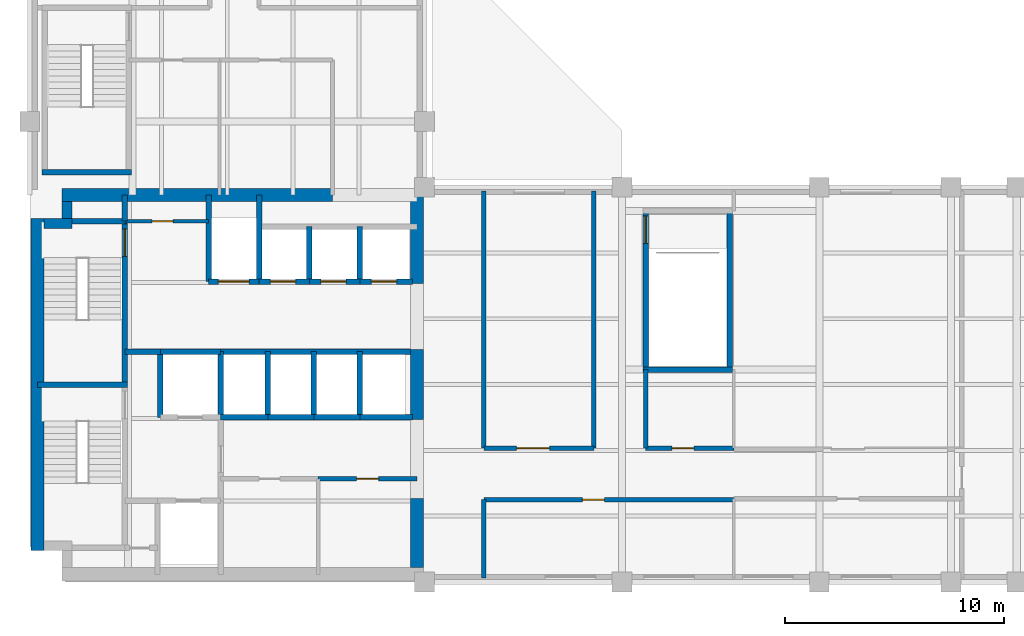
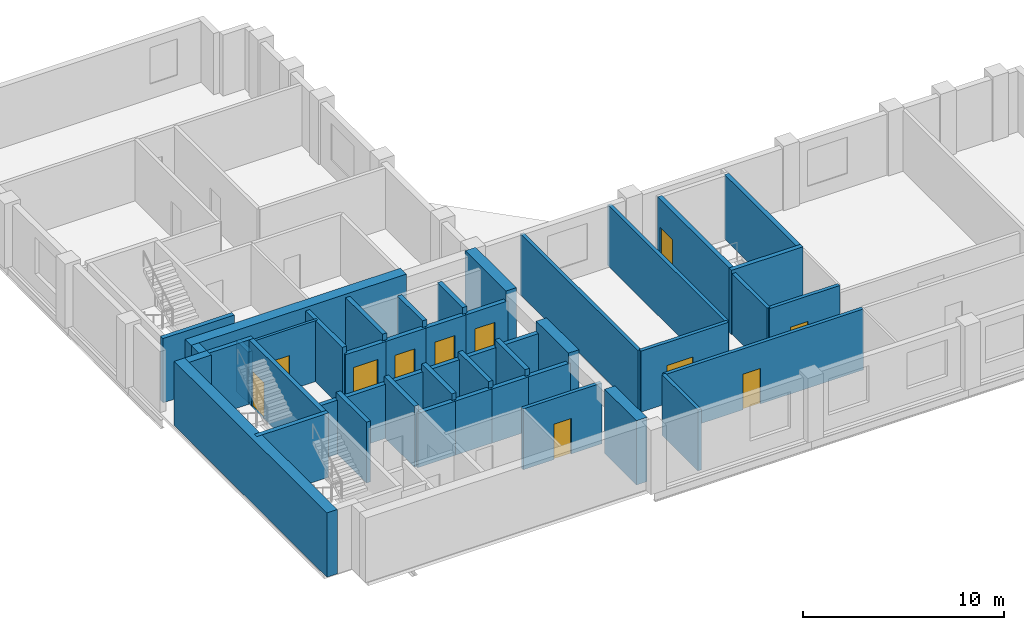
# One storey, part 3 of 6: 44 walls, 11 doors, 11 openings.
"""IFC4 building model written with IfcOpenShell, lengths in metres."""

from ifc_helpers import new_model, si_unit, direction, frame, frame_2d, origin, place, context, subcontext, project, spatial, rectangle, extrude, material, layer, layer_set, type_object, element, fill, save


model = new_model("IFC4")

# Units and contexts
model_context = context("Model", 3, precision=1e-05, world=origin(), true_north=direction((0.0, 1.0)))
body_context = subcontext(model_context, "Body", "Model", "MODEL_VIEW")
ifc_project = project(units=[si_unit("LENGTHUNIT", "METRE"), si_unit("AREAUNIT", "SQUARE_METRE"), si_unit("VOLUMEUNIT", "CUBIC_METRE"), si_unit("PLANEANGLEUNIT", "RADIAN"), si_unit("MASSUNIT", "GRAM", prefix="KILO")], contexts=[model_context])

# Site, building, storey
site_placement = place(None, origin())
site = spatial("IfcSite", under=ifc_project, at=site_placement, CompositionType="ELEMENT")
building_placement = place(site_placement, origin())
building = spatial("IfcBuilding", under=site, at=building_placement, Name="Mawjdan Bourse Tower", CompositionType="ELEMENT")
storey_placement = place(building_placement, frame((0.0, 0.0, 164.39990234375)))
storey = spatial("IfcBuildingStorey", under=building, at=storey_placement, Name="L39", CompositionType="ELEMENT", Elevation=164.39990234375)

# Wall, opening, door
ifc_material_1 = material(Name="Gypsum Fireboard Assembly")
ifc_layer_1 = layer(ifc_material_1, 0.199951171875)
ifc_layer_set_1 = layer_set([ifc_layer_1], Name="Gypsum Fireboard Assembly")
wall_type_1 = type_object("IfcWallType", Name="WL-CMP-200", PredefinedType="PARTITIONING", material=ifc_layer_set_1)
wall_1_placement = place(storey_placement, frame((19.14990234375, 7.699951171875, 0.0), z_axis=(0.0, 0.0, 1.0), x_axis=(1.0, 0.0, 0.0)))
wall_1 = element("IfcWall", 1, at=wall_1_placement, inside=storey, type_object=wall_type_1, Name="L39 Document Custody Office North Wall", PredefinedType="PARTITIONING", context=body_context, shape_type="SweptSolid", body=[
    extrude(rectangle(XDim=4.5, YDim=0.199951171875, at=frame_2d((2.25, 0.0))), origin(), (0.0, 0.0, 1.0), 3.690185546875),
])
opening_1_placement = place(wall_1_placement, frame((1.75, 0.0, 0.0)))
opening_1 = element("IfcOpeningElement", 2, at=opening_1_placement, cuts=wall_1, Name="Opening D-L39-14", PredefinedType="OPENING", context=body_context, shape_type="SweptSolid", body=[
    extrude(rectangle(XDim=1.0, YDim=2.14990234375, at=frame_2d((0.5, 1.074951171875))), frame((0.0, 0.10986328125, 0.0), z_axis=(0.0, -1.0, 0.0), x_axis=(1.0, 0.0, 0.0)), (0.0, 0.0, 1.0), 0.219970703125),
])
ifc_material_2 = material(Name="Hardwood Acoustic Leaf", Category="wood")
door_type_1 = type_object("IfcDoorType", Name="DR-OFC-1000", OperationType="NOTDEFINED", PredefinedType="DOOR", material=ifc_material_2)
door_1_placement = place(opening_1_placement, origin())
door_1 = element("IfcDoor", 3, at=door_1_placement, inside=storey, type_object=door_type_1, Name="L39 Document Custody Office Door D-L39-14", OperationType="SINGLE_SWING_LEFT", OverallHeight=2.14990234375, OverallWidth=1.0, PredefinedType="DOOR", context=body_context, shape_type="SweptSolid", body=[
    extrude(rectangle(XDim=1.0, YDim=2.14990234375, at=frame_2d((0.5, 1.074951171875))), frame((0.0, 0.02490234375, 0.0), z_axis=(0.0, -1.0, 0.0), x_axis=(1.0, 0.0, 0.0)), (0.0, 0.0, 1.0), 0.050048828125),
])
fill(opening_1, door_1)

wall_2_placement = place(storey_placement, frame((26.699951171875, 9.10009765625, 0.0), z_axis=(0.0, 0.0, 1.0), x_axis=(1.0, 0.0, 0.0)))
wall_2 = element("IfcWall", 4, at=wall_2_placement, inside=storey, type_object=wall_type_1, Name="L39 NW Salon South Corridor Wall", PredefinedType="PARTITIONING", context=body_context, shape_type="SweptSolid", body=[
    extrude(rectangle(XDim=5.02001953125, YDim=0.199951171875, at=frame_2d((2.510009765625, 0.0))), origin(), (0.0, 0.0, 1.0), 3.690185546875),
])
opening_2_placement = place(wall_2_placement, frame((1.5, 0.0, 0.0)))
opening_2 = element("IfcOpeningElement", 5, at=opening_2_placement, cuts=wall_2, Name="Opening D-L39-18", PredefinedType="OPENING", context=body_context, shape_type="SweptSolid", body=[
    extrude(rectangle(XDim=1.5, YDim=2.300048828125, at=frame_2d((0.75, 1.14990234375))), frame((0.0, 0.10986328125, 0.0), z_axis=(0.0, -1.0, 0.0), x_axis=(1.0, 0.0, 0.0)), (0.0, 0.0, 1.0), 0.219970703125),
])
ifc_material_3 = material(Name="Acoustic Glazed Timber", Category="wood")
door_type_2 = type_object("IfcDoorType", Name="DR-CNF-1500", OperationType="DOUBLE_DOOR_SINGLE_SWING", PredefinedType="DOOR", material=ifc_material_3)
door_2_placement = place(opening_2_placement, origin())
door_2 = element("IfcDoor", 6, at=door_2_placement, inside=storey, type_object=door_type_2, Name="L39 North-West Salon Corridor Door D-L39-18", OperationType="DOUBLE_DOOR_SINGLE_SWING", OverallHeight=2.300048828125, OverallWidth=1.5, PredefinedType="DOOR", context=body_context, shape_type="SweptSolid", body=[
    extrude(rectangle(XDim=1.5, YDim=2.300048828125, at=frame_2d((0.75, 1.14990234375))), frame((0.0, 0.02490234375, 0.0), z_axis=(0.0, -1.0, 0.0), x_axis=(1.0, 0.0, 0.0)), (0.0, 0.0, 1.0), 0.050048828125),
])
fill(opening_2, door_2)

# Walls
for number, where, z_axis, x_axis, name in (
    (7, (26.699951171875, 9.10009765625, 0.0), (0.0, 0.0, 1.0), (0.0, 1.0, 0.0), "L39 NW Salon West Vestibule Wall"),
    (8, (31.719970703125, 9.10009765625, 0.0), (0.0, 0.0, 1.0), (0.0, 1.0, 0.0), "L39 NW Salon East ST5B Corridor Wall"),
):
    element("IfcWall", number, at=place(storey_placement, frame(where, z_axis=z_axis, x_axis=x_axis)), inside=storey, type_object=wall_type_1, Name=name, PredefinedType="PARTITIONING", context=body_context, shape_type="SweptSolid", body=[
        extrude(rectangle(XDim=11.719970703125, YDim=0.199951171875, at=frame_2d((5.85986328125, 0.0))), origin(), (0.0, 0.0, 1.0), 3.690185546875),
    ])

# Wall, opening, door
wall_3_placement = place(storey_placement, frame((26.699951171875, 6.75, 0.0), z_axis=(0.0, 0.0, 1.0), x_axis=(1.0, 0.0, 0.0)))
wall_3 = element("IfcWall", 9, at=wall_3_placement, inside=storey, type_object=wall_type_1, Name="L39 South Suite Corridor Wall", PredefinedType="PARTITIONING", context=body_context, shape_type="SweptSolid", body=[
    extrude(rectangle(XDim=11.400146484375, YDim=0.199951171875, at=frame_2d((5.7001953125, 0.0))), origin(), (0.0, 0.0, 1.0), 3.690185546875),
])
opening_3_placement = place(wall_3_placement, frame((4.5, 0.0, 0.0)))
opening_3 = element("IfcOpeningElement", 10, at=opening_3_placement, cuts=wall_3, Name="Opening D-L39-19", PredefinedType="OPENING", context=body_context, shape_type="SweptSolid", body=[
    extrude(rectangle(XDim=1.0, YDim=2.14990234375, at=frame_2d((0.5, 1.074951171875))), frame((0.0, 0.10986328125, 0.0), z_axis=(0.0, -1.0, 0.0), x_axis=(1.0, 0.0, 0.0)), (0.0, 0.0, 1.0), 0.219970703125),
])
door_3_placement = place(opening_3_placement, origin())
door_3 = element("IfcDoor", 11, at=door_3_placement, inside=storey, type_object=door_type_1, Name="L39 South Suite Corridor Door D-L39-19", OperationType="SINGLE_SWING_LEFT", OverallHeight=2.14990234375, OverallWidth=1.0, PredefinedType="DOOR", context=body_context, shape_type="SweptSolid", body=[
    extrude(rectangle(XDim=1.0, YDim=2.14990234375, at=frame_2d((0.5, 1.074951171875))), frame((0.0, 0.02490234375, 0.0), z_axis=(0.0, -1.0, 0.0), x_axis=(1.0, 0.0, 0.0)), (0.0, 0.0, 1.0), 0.050048828125),
])
fill(opening_3, door_3)

# Wall
wall_4_placement = place(storey_placement, frame((26.699951171875, 3.179931640625, 0.0), z_axis=(0.0, 0.0, 1.0), x_axis=(0.0, 1.0, 0.0)))
element("IfcWall", 12, at=wall_4_placement, inside=storey, type_object=wall_type_1, Name="L39 South Suite West Wall", PredefinedType="PARTITIONING", context=body_context, shape_type="SweptSolid", body=[
    extrude(rectangle(XDim=3.570068359375, YDim=0.199951171875, at=frame_2d((1.78515625, 0.0))), origin(), (0.0, 0.0, 1.0), 3.690185546875),
])

# Wall, opening, door
wall_5_placement = place(storey_placement, frame((34.080078125, 9.10009765625, 0.0), z_axis=(0.0, 0.0, 1.0), x_axis=(1.0, 0.0, 0.0)))
wall_5 = element("IfcWall", 13, at=wall_5_placement, inside=storey, type_object=wall_type_1, Name="L39 ST5B Mid Conference South Wall", PredefinedType="PARTITIONING", context=body_context, shape_type="SweptSolid", body=[
    extrude(rectangle(XDim=4.02001953125, YDim=0.199951171875, at=frame_2d((2.010009765625, 0.0))), origin(), (0.0, 0.0, 1.0), 3.690185546875),
])
opening_4_placement = place(wall_5_placement, frame((1.199951171875, 0.0, 0.0)))
opening_4 = element("IfcOpeningElement", 14, at=opening_4_placement, cuts=wall_5, Name="Opening D-L39-20", PredefinedType="OPENING", context=body_context, shape_type="SweptSolid", body=[
    extrude(rectangle(XDim=1.0, YDim=2.14990234375, at=frame_2d((0.5, 1.074951171875))), frame((0.0, 0.10986328125, 0.0), z_axis=(0.0, -1.0, 0.0), x_axis=(1.0, 0.0, 0.0)), (0.0, 0.0, 1.0), 0.219970703125),
])
door_4_placement = place(opening_4_placement, origin())
door_4 = element("IfcDoor", 15, at=door_4_placement, inside=storey, type_object=door_type_1, Name="L39 ST5B Mid Conference Door D-L39-20", OperationType="SINGLE_SWING_RIGHT", OverallHeight=2.14990234375, OverallWidth=1.0, PredefinedType="DOOR", context=body_context, shape_type="SweptSolid", body=[
    extrude(rectangle(XDim=1.0, YDim=2.14990234375, at=frame_2d((0.5, 1.074951171875))), frame((0.0, 0.02490234375, 0.0), z_axis=(0.0, -1.0, 0.0), x_axis=(1.0, 0.0, 0.0)), (0.0, 0.0, 1.0), 0.050048828125),
])
fill(opening_4, door_4)

# Walls
wall_6_placement = place(storey_placement, frame((34.080078125, 9.10009765625, 0.0), z_axis=(0.0, 0.0, 1.0), x_axis=(0.0, 1.0, 0.0)))
element("IfcWall", 16, at=wall_6_placement, inside=storey, type_object=wall_type_1, Name="L39 ST5B Mid Conference West Wall", PredefinedType="PARTITIONING", context=body_context, shape_type="SweptSolid", body=[
    extrude(rectangle(XDim=3.579833984375, YDim=0.199951171875, at=frame_2d((1.7900390625, 0.0))), origin(), (0.0, 0.0, 1.0), 3.690185546875),
])
ifc_material_4 = material(Name="Concrete C60/75", Category="concrete")
ifc_layer_2 = layer(ifc_material_4, 0.449951171875)
ifc_layer_set_2 = layer_set([ifc_layer_2], Name="Concrete C60/75")
wall_type_2 = type_object("IfcWallType", Name="WL-CORE-450", PredefinedType="SHEAR", material=ifc_layer_set_2)
wall_7_placement = place(storey_placement, frame((6.64990234375, 19.35009765625, 0.0), z_axis=(0.0, 0.0, 1.0), x_axis=(1.0, 0.0, 0.0)))
element("IfcWall", 17, at=wall_7_placement, inside=storey, type_object=wall_type_2, Name="L39 Rear Core Shear Wall NW-X", PredefinedType="SHEAR", context=body_context, shape_type="SweptSolid", body=[
    extrude(rectangle(XDim=1.275146484375, YDim=0.449951171875, at=frame_2d((0.6376953125, 0.0))), origin(), (0.0, 0.0, 1.0), 3.900146484375),
])
wall_8_placement = place(storey_placement, frame((7.699951171875, 19.574951171875, 0.0), z_axis=(0.0, 0.0, 1.0), x_axis=(0.0, 1.0, 0.0)))
element("IfcWall", 18, at=wall_8_placement, inside=storey, type_object=wall_type_2, Name="L39 Rear Core Shear Wall NW-Y", PredefinedType="SHEAR", context=body_context, shape_type="SweptSolid", body=[
    extrude(rectangle(XDim=0.775146484375, YDim=0.449951171875, at=frame_2d((0.3876953125, 0.0))), origin(), (0.0, 0.0, 1.0), 3.900146484375),
])
ifc_material_5 = material(Name="Concrete C70/85", Category="concrete")
ifc_layer_3 = layer(ifc_material_5, 0.60009765625)
ifc_layer_set_3 = layer_set([ifc_layer_3], Name="Concrete C70/85")
wall_type_3 = type_object("IfcWallType", Name="WL-CORE-600", PredefinedType="SHEAR", material=ifc_layer_set_3)
wall_9_placement = place(storey_placement, frame((6.35009765625, 4.425048828125, 0.0), z_axis=(0.0, 0.0, 1.0), x_axis=(0.0, 1.0, 0.0)))
element("IfcWall", 19, at=wall_9_placement, inside=storey, type_object=wall_type_3, Name="L39 Rear Core Shear Wall W", PredefinedType="SHEAR", context=body_context, shape_type="SweptSolid", body=[
    extrude(rectangle(XDim=15.14990234375, YDim=0.60009765625, at=frame_2d((7.574951171875, 0.0))), origin(), (0.0, 0.0, 1.0), 3.900146484375),
])
wall_10_placement = place(storey_placement, frame((7.47509765625, 20.64990234375, 0.0), z_axis=(0.0, 0.0, 1.0), x_axis=(1.0, 0.0, 0.0)))
element("IfcWall", 20, at=wall_10_placement, inside=storey, type_object=wall_type_3, Name="L39 Rear Core Shear Wall N", PredefinedType="SHEAR", context=body_context, shape_type="SweptSolid", body=[
    extrude(rectangle(XDim=12.324951171875, YDim=0.60009765625, at=frame_2d((6.16259765625, 0.0))), origin(), (0.0, 0.0, 1.0), 3.900146484375),
])
wall_11_placement = place(storey_placement, frame((23.64990234375, 3.64990234375, 0.0), z_axis=(0.0, 0.0, 1.0), x_axis=(0.0, 1.0, 0.0)))
element("IfcWall", 21, at=wall_11_placement, inside=storey, type_object=wall_type_3, Name="L39 Rear Core Shear Wall E1", PredefinedType="SHEAR", context=body_context, shape_type="SweptSolid", body=[
    extrude(rectangle(XDim=3.150146484375, YDim=0.60009765625, at=frame_2d((1.5751953125, 0.0))), origin(), (0.0, 0.0, 1.0), 3.900146484375),
])
wall_12_placement = place(storey_placement, frame((23.64990234375, 10.39990234375, 0.0), z_axis=(0.0, 0.0, 1.0), x_axis=(0.0, 1.0, 0.0)))
element("IfcWall", 22, at=wall_12_placement, inside=storey, type_object=wall_type_3, Name="L39 Rear Core Shear Wall E2", PredefinedType="SHEAR", context=body_context, shape_type="SweptSolid", body=[
    extrude(rectangle(XDim=3.2001953125, YDim=0.60009765625, at=frame_2d((1.60009765625, 0.0))), origin(), (0.0, 0.0, 1.0), 3.900146484375),
])
wall_13_placement = place(storey_placement, frame((23.64990234375, 16.60009765625, 0.0), z_axis=(0.0, 0.0, 1.0), x_axis=(0.0, 1.0, 0.0)))
element("IfcWall", 23, at=wall_13_placement, inside=storey, type_object=wall_type_3, Name="L39 Rear Core Shear Wall E3", PredefinedType="SHEAR", context=body_context, shape_type="SweptSolid", body=[
    extrude(rectangle(XDim=4.0498046875, YDim=0.60009765625, at=frame_2d((2.02490234375, 0.0))), origin(), (0.0, 0.0, 1.0), 3.900146484375),
])

# Wall, opening, door
ifc_material_6 = material(Name="Gypsum Acoustic Partition")
ifc_layer_4 = layer(ifc_material_6, 0.14990234375)
ifc_layer_set_4 = layer_set([ifc_layer_4], Name="Gypsum Acoustic Partition")
wall_type_4 = type_object("IfcWallType", Name="WL-PRT-150", PredefinedType="PARTITIONING", material=ifc_layer_set_4)
wall_14_placement = place(storey_placement, frame((10.330078125, 19.449951171875, 0.0), z_axis=(0.0, 0.0, 1.0), x_axis=(1.0, 0.0, 0.0)))
wall_14 = element("IfcWall", 24, at=wall_14_placement, inside=storey, type_object=wall_type_4, Name="L39 Housekeeping South Wall", PredefinedType="PARTITIONING", context=body_context, shape_type="SweptSolid", body=[
    extrude(rectangle(XDim=3.81982421875, YDim=0.14990234375, at=frame_2d((1.909912109375, 0.0))), origin(), (0.0, 0.0, 1.0), 3.690185546875),
])
opening_5_placement = place(wall_14_placement, frame((1.25, 0.0, 0.0)))
opening_5 = element("IfcOpeningElement", 25, at=opening_5_placement, cuts=wall_14, Name="Opening D-L39-15", PredefinedType="OPENING", context=body_context, shape_type="SweptSolid", body=[
    extrude(rectangle(XDim=0.949951171875, YDim=2.10009765625, at=frame_2d((0.47509765625, 1.050048828125))), frame((0.0, 0.0849609375, 0.0), z_axis=(0.0, -1.0, 0.0), x_axis=(1.0, 0.0, 0.0)), (0.0, 0.0, 1.0), 0.169921875),
])
ifc_material_7 = material(Name="Moisture-Resistant Laminate Timber", Category="wood")
door_type_3 = type_object("IfcDoorType", Name="DR-WET-0950", OperationType="NOTDEFINED", PredefinedType="DOOR", material=ifc_material_7)
door_5_placement = place(opening_5_placement, origin())
door_5 = element("IfcDoor", 26, at=door_5_placement, inside=storey, type_object=door_type_3, Name="L39 Housekeeping Closet Door D-L39-15", OperationType="SINGLE_SWING_RIGHT", OverallHeight=2.10009765625, OverallWidth=0.949951171875, PredefinedType="DOOR", context=body_context, shape_type="SweptSolid", body=[
    extrude(rectangle(XDim=0.949951171875, YDim=2.10009765625, at=frame_2d((0.47509765625, 1.050048828125))), frame((0.0, 0.02490234375, 0.0), z_axis=(0.0, -1.0, 0.0), x_axis=(1.0, 0.0, 0.0)), (0.0, 0.0, 1.0), 0.050048828125),
])
fill(opening_5, door_5)

# Walls
ifc_material_8 = material(Name="Concrete C50/60", Category="concrete")
ifc_layer_5 = layer(ifc_material_8, 0.25)
ifc_layer_set_5 = layer_set([ifc_layer_5], Name="Concrete C50/60")
wall_type_5 = type_object("IfcWallType", Name="WL-SHFT-250", PredefinedType="PARTITIONING", material=ifc_layer_set_5)
wall_15_placement = place(storey_placement, frame((10.330078125, 19.449951171875, 0.0), z_axis=(0.0, 0.0, 1.0), x_axis=(0.0, 1.0, 0.0)))
element("IfcWall", 27, at=wall_15_placement, inside=storey, type_object=wall_type_5, Name="L39 NW Riser East Wall", PredefinedType="PARTITIONING", context=body_context, shape_type="SweptSolid", body=[
    extrude(rectangle(XDim=1.199951171875, YDim=0.25, at=frame_2d((0.60009765625, 0.0))), origin(), (0.0, 0.0, 1.0), 3.072998046875),
])
wall_16_placement = place(storey_placement, frame((11.949951171875, 10.5, 0.0), z_axis=(0.0, 0.0, 1.0), x_axis=(0.0, 1.0, 0.0)))
element("IfcWall", 28, at=wall_16_placement, inside=storey, type_object=wall_type_5, Name="L39 FFL-02 West Shaft Wall", PredefinedType="PARTITIONING", context=body_context, shape_type="SweptSolid", body=[
    extrude(rectangle(XDim=3.0, YDim=0.25, at=frame_2d((1.5, 0.0))), origin(), (0.0, 0.0, 1.0), 3.690185546875),
])
wall_17_placement = place(storey_placement, frame((11.949951171875, 13.5, 0.0), z_axis=(0.0, 0.0, 1.0), x_axis=(1.0, 0.0, 0.0)))
element("IfcWall", 29, at=wall_17_placement, inside=storey, type_object=wall_type_5, Name="L39 FFL-02 North Shaft Wall", PredefinedType="PARTITIONING", context=body_context, shape_type="SweptSolid", body=[
    extrude(rectangle(XDim=2.75, YDim=0.25, at=frame_2d((1.375, 0.0))), origin(), (0.0, 0.0, 1.0), 3.283203125),
])
wall_18_placement = place(storey_placement, frame((14.699951171875, 10.5, 0.0), z_axis=(0.0, 0.0, 1.0), x_axis=(0.0, 1.0, 0.0)))
element("IfcWall", 30, at=wall_18_placement, inside=storey, type_object=wall_type_5, Name="L39 FFL-02 East Shaft Wall", PredefinedType="PARTITIONING", context=body_context, shape_type="SweptSolid", body=[
    extrude(rectangle(XDim=3.0, YDim=0.25, at=frame_2d((1.5, 0.0))), origin(), (0.0, 0.0, 1.0), 3.690185546875),
])
wall_19_placement = place(storey_placement, frame((10.330078125, 13.5, 0.0), z_axis=(0.0, 0.0, 1.0), x_axis=(1.0, 0.0, 0.0)))
element("IfcWall", 31, at=wall_19_placement, inside=storey, type_object=wall_type_5, Name="L39 Firefighting Lobby North Compartment Wall", PredefinedType="PARTITIONING", context=body_context, shape_type="SweptSolid", body=[
    extrude(rectangle(XDim=1.619873046875, YDim=0.25, at=frame_2d((0.81005859375, 0.0))), origin(), (0.0, 0.0, 1.0), 3.283203125),
])

# Wall, opening, door
wall_20_placement = place(storey_placement, frame((14.14990234375, 16.699951171875, 0.0), z_axis=(0.0, 0.0, 1.0), x_axis=(1.0, 0.0, 0.0)))
wall_20 = element("IfcWall", 32, at=wall_20_placement, inside=storey, type_object=wall_type_5, Name="L39 SVL-01 Front Shaft Wall", PredefinedType="PARTITIONING", context=body_context, shape_type="SweptSolid", body=[
    extrude(rectangle(XDim=2.300048828125, YDim=0.25, at=frame_2d((1.14990234375, 0.0))), origin(), (0.0, 0.0, 1.0), 3.283203125),
])
opening_6_placement = place(wall_20_placement, frame((0.449951171875, 0.0, 0.0)))
opening_6 = element("IfcOpeningElement", 33, at=opening_6_placement, cuts=wall_20, Name="Opening LD-L39-09", PredefinedType="OPENING", context=body_context, shape_type="SweptSolid", body=[
    extrude(rectangle(XDim=1.39990234375, YDim=2.35009765625, at=frame_2d((0.699951171875, 1.175048828125))), frame((0.0, 0.135009765625, 0.0), z_axis=(0.0, -1.0, 0.0), x_axis=(1.0, 0.0, 0.0)), (0.0, 0.0, 1.0), 0.27001953125),
])
ifc_material_9 = material(Name="Heavy-Duty Stainless Steel", Category="steel")
door_type_4 = type_object("IfcDoorType", Name="LD-SRV-1400", OperationType="DOUBLE_DOOR_SLIDING", PredefinedType="DOOR", material=ifc_material_9)
door_6_placement = place(opening_6_placement, origin())
door_6 = element("IfcDoor", 34, at=door_6_placement, inside=storey, type_object=door_type_4, Name="L39 Service Lift SVL-01 Landing Door LD-L39-09", OperationType="DOUBLE_DOOR_SLIDING", OverallHeight=2.35009765625, OverallWidth=1.39990234375, PredefinedType="DOOR", context=body_context, shape_type="SweptSolid", body=[
    extrude(rectangle(XDim=1.39990234375, YDim=2.35009765625, at=frame_2d((0.699951171875, 1.175048828125))), frame((0.0, 0.02490234375, 0.0), z_axis=(0.0, -1.0, 0.0), x_axis=(1.0, 0.0, 0.0)), (0.0, 0.0, 1.0), 0.050048828125),
])
fill(opening_6, door_6)

# Walls
for number, where, z_axis, x_axis, name in (
    (35, (14.14990234375, 16.699951171875, 0.0), (0.0, 0.0, 1.0), (0.0, 1.0, 0.0), "L39 SVL-01 West Shaft Wall"),
    (36, (16.449951171875, 16.699951171875, 0.0), (0.0, 0.0, 1.0), (0.0, 1.0, 0.0), "L39 SVL-01 East Shaft Wall"),
):
    element("IfcWall", number, at=place(storey_placement, frame(where, z_axis=z_axis, x_axis=x_axis)), inside=storey, type_object=wall_type_5, Name=name, PredefinedType="PARTITIONING", context=body_context, shape_type="SweptSolid", body=[
        extrude(rectangle(XDim=3.949951171875, YDim=0.25, at=frame_2d((1.97509765625, 0.0))), origin(), (0.0, 0.0, 1.0), 3.690185546875),
    ])

# Wall, opening, door
wall_21_placement = place(storey_placement, frame((16.449951171875, 16.699951171875, 0.0), z_axis=(0.0, 0.0, 1.0), x_axis=(1.0, 0.0, 0.0)))
wall_21 = element("IfcWall", 37, at=wall_21_placement, inside=storey, type_object=wall_type_5, Name="L39 PH-01 Front Wall", PredefinedType="PARTITIONING", context=body_context, shape_type="SweptSolid", body=[
    extrude(rectangle(XDim=2.300048828125, YDim=0.25, at=frame_2d((1.14990234375, 0.0))), origin(), (0.0, 0.0, 1.0), 3.283203125),
])
opening_7_placement = place(wall_21_placement, frame((0.52001953125, 0.0, 0.0)))
opening_7 = element("IfcOpeningElement", 38, at=opening_7_placement, cuts=wall_21, Name="Opening LD-L39-10", PredefinedType="OPENING", context=body_context, shape_type="SweptSolid", body=[
    extrude(rectangle(XDim=1.14990234375, YDim=2.25, at=frame_2d((0.574951171875, 1.125))), frame((0.0, 0.135009765625, 0.0), z_axis=(0.0, -1.0, 0.0), x_axis=(1.0, 0.0, 0.0)), (0.0, 0.0, 1.0), 0.27001953125),
])
ifc_material_10 = material(Name="Brushed Stainless Steel", Category="steel")
door_type_5 = type_object("IfcDoorType", Name="LD-PAS-1150", OperationType="DOUBLE_DOOR_SLIDING", PredefinedType="DOOR", material=ifc_material_10)
door_7_placement = place(opening_7_placement, origin())
door_7 = element("IfcDoor", 39, at=door_7_placement, inside=storey, type_object=door_type_5, Name="L39 Lift PH-01 Landing Door LD-L39-10", OperationType="DOUBLE_DOOR_SLIDING", OverallHeight=2.25, OverallWidth=1.14990234375, PredefinedType="DOOR", context=body_context, shape_type="SweptSolid", body=[
    extrude(rectangle(XDim=1.14990234375, YDim=2.25, at=frame_2d((0.574951171875, 1.125))), frame((0.0, 0.02490234375, 0.0), z_axis=(0.0, -1.0, 0.0), x_axis=(1.0, 0.0, 0.0)), (0.0, 0.0, 1.0), 0.050048828125),
])
fill(opening_7, door_7)

# Wall
wall_22_placement = place(storey_placement, frame((18.75, 16.699951171875, 0.0), z_axis=(0.0, 0.0, 1.0), x_axis=(0.0, 1.0, 0.0)))
element("IfcWall", 40, at=wall_22_placement, inside=storey, type_object=wall_type_5, Name="L39 PH-01 Divider Wall", PredefinedType="PARTITIONING", context=body_context, shape_type="SweptSolid", body=[
    extrude(rectangle(XDim=2.5, YDim=0.25, at=frame_2d((1.25, 0.0))), origin(), (0.0, 0.0, 1.0), 3.690185546875),
])

# Wall, opening, door
wall_23_placement = place(storey_placement, frame((18.75, 16.699951171875, 0.0), z_axis=(0.0, 0.0, 1.0), x_axis=(1.0, 0.0, 0.0)))
wall_23 = element("IfcWall", 41, at=wall_23_placement, inside=storey, type_object=wall_type_5, Name="L39 PH-02 Front Wall", PredefinedType="PARTITIONING", context=body_context, shape_type="SweptSolid", body=[
    extrude(rectangle(XDim=2.300048828125, YDim=0.25, at=frame_2d((1.14990234375, 0.0))), origin(), (0.0, 0.0, 1.0), 3.283203125),
])
opening_8_placement = place(wall_23_placement, frame((0.52001953125, 0.0, 0.0)))
opening_8 = element("IfcOpeningElement", 42, at=opening_8_placement, cuts=wall_23, Name="Opening LD-L39-11", PredefinedType="OPENING", context=body_context, shape_type="SweptSolid", body=[
    extrude(rectangle(XDim=1.14990234375, YDim=2.25, at=frame_2d((0.574951171875, 1.125))), frame((0.0, 0.135009765625, 0.0), z_axis=(0.0, -1.0, 0.0), x_axis=(1.0, 0.0, 0.0)), (0.0, 0.0, 1.0), 0.27001953125),
])
door_8_placement = place(opening_8_placement, origin())
door_8 = element("IfcDoor", 43, at=door_8_placement, inside=storey, type_object=door_type_5, Name="L39 Lift PH-02 Landing Door LD-L39-11", OperationType="DOUBLE_DOOR_SLIDING", OverallHeight=2.25, OverallWidth=1.14990234375, PredefinedType="DOOR", context=body_context, shape_type="SweptSolid", body=[
    extrude(rectangle(XDim=1.14990234375, YDim=2.25, at=frame_2d((0.574951171875, 1.125))), frame((0.0, 0.02490234375, 0.0), z_axis=(0.0, -1.0, 0.0), x_axis=(1.0, 0.0, 0.0)), (0.0, 0.0, 1.0), 0.050048828125),
])
fill(opening_8, door_8)

# Wall
wall_24_placement = place(storey_placement, frame((21.050048828125, 16.699951171875, 0.0), z_axis=(0.0, 0.0, 1.0), x_axis=(0.0, 1.0, 0.0)))
element("IfcWall", 44, at=wall_24_placement, inside=storey, type_object=wall_type_5, Name="L39 PH-02 Divider Wall", PredefinedType="PARTITIONING", context=body_context, shape_type="SweptSolid", body=[
    extrude(rectangle(XDim=2.5, YDim=0.25, at=frame_2d((1.25, 0.0))), origin(), (0.0, 0.0, 1.0), 3.690185546875),
])

# Wall, opening, door
wall_25_placement = place(storey_placement, frame((21.050048828125, 16.699951171875, 0.0), z_axis=(0.0, 0.0, 1.0), x_axis=(1.0, 0.0, 0.0)))
wall_25 = element("IfcWall", 45, at=wall_25_placement, inside=storey, type_object=wall_type_5, Name="L39 PH-03 Front Wall", PredefinedType="PARTITIONING", context=body_context, shape_type="SweptSolid", body=[
    extrude(rectangle(XDim=2.39990234375, YDim=0.25, at=frame_2d((1.199951171875, 0.0))), origin(), (0.0, 0.0, 1.0), 3.283203125),
])
opening_9_placement = place(wall_25_placement, frame((0.52001953125, 0.0, 0.0)))
opening_9 = element("IfcOpeningElement", 46, at=opening_9_placement, cuts=wall_25, Name="Opening LD-L39-12", PredefinedType="OPENING", context=body_context, shape_type="SweptSolid", body=[
    extrude(rectangle(XDim=1.14990234375, YDim=2.25, at=frame_2d((0.574951171875, 1.125))), frame((0.0, 0.135009765625, 0.0), z_axis=(0.0, -1.0, 0.0), x_axis=(1.0, 0.0, 0.0)), (0.0, 0.0, 1.0), 0.27001953125),
])
door_9_placement = place(opening_9_placement, origin())
door_9 = element("IfcDoor", 47, at=door_9_placement, inside=storey, type_object=door_type_5, Name="L39 Lift PH-03 Landing Door LD-L39-12", OperationType="DOUBLE_DOOR_SLIDING", OverallHeight=2.25, OverallWidth=1.14990234375, PredefinedType="DOOR", context=body_context, shape_type="SweptSolid", body=[
    extrude(rectangle(XDim=1.14990234375, YDim=2.25, at=frame_2d((0.574951171875, 1.125))), frame((0.0, 0.02490234375, 0.0), z_axis=(0.0, -1.0, 0.0), x_axis=(1.0, 0.0, 0.0)), (0.0, 0.0, 1.0), 0.050048828125),
])
fill(opening_9, door_9)

# Walls
wall_26_placement = place(storey_placement, frame((14.699951171875, 10.5, 0.0), z_axis=(0.0, 0.0, 1.0), x_axis=(1.0, 0.0, 0.0)))
element("IfcWall", 48, at=wall_26_placement, inside=storey, type_object=wall_type_5, Name="L39 PM-01 Front Wall", PredefinedType="PARTITIONING", context=body_context, shape_type="SweptSolid", body=[
    extrude(rectangle(XDim=2.150146484375, YDim=0.25, at=frame_2d((1.0751953125, 0.0))), origin(), (0.0, 0.0, 1.0), 3.283203125),
])
wall_27_placement = place(storey_placement, frame((16.85009765625, 10.5, 0.0), z_axis=(0.0, 0.0, 1.0), x_axis=(0.0, 1.0, 0.0)))
element("IfcWall", 49, at=wall_27_placement, inside=storey, type_object=wall_type_5, Name="L39 PM-01 Divider Wall", PredefinedType="PARTITIONING", context=body_context, shape_type="SweptSolid", body=[
    extrude(rectangle(XDim=3.0, YDim=0.25, at=frame_2d((1.5, 0.0))), origin(), (0.0, 0.0, 1.0), 3.690185546875),
])
wall_28_placement = place(storey_placement, frame((16.85009765625, 10.5, 0.0), z_axis=(0.0, 0.0, 1.0), x_axis=(1.0, 0.0, 0.0)))
element("IfcWall", 50, at=wall_28_placement, inside=storey, type_object=wall_type_5, Name="L39 PM-02 Front Wall", PredefinedType="PARTITIONING", context=body_context, shape_type="SweptSolid", body=[
    extrude(rectangle(XDim=2.099853515625, YDim=0.25, at=frame_2d((1.0498046875, 0.0))), origin(), (0.0, 0.0, 1.0), 3.283203125),
])
wall_29_placement = place(storey_placement, frame((18.949951171875, 10.5, 0.0), z_axis=(0.0, 0.0, 1.0), x_axis=(0.0, 1.0, 0.0)))
element("IfcWall", 51, at=wall_29_placement, inside=storey, type_object=wall_type_5, Name="L39 PM-02 Divider Wall", PredefinedType="PARTITIONING", context=body_context, shape_type="SweptSolid", body=[
    extrude(rectangle(XDim=3.0, YDim=0.25, at=frame_2d((1.5, 0.0))), origin(), (0.0, 0.0, 1.0), 3.690185546875),
])
wall_30_placement = place(storey_placement, frame((18.949951171875, 10.5, 0.0), z_axis=(0.0, 0.0, 1.0), x_axis=(1.0, 0.0, 0.0)))
element("IfcWall", 52, at=wall_30_placement, inside=storey, type_object=wall_type_5, Name="L39 PM-03 Front Wall", PredefinedType="PARTITIONING", context=body_context, shape_type="SweptSolid", body=[
    extrude(rectangle(XDim=2.10009765625, YDim=0.25, at=frame_2d((1.050048828125, 0.0))), origin(), (0.0, 0.0, 1.0), 3.283203125),
])
wall_31_placement = place(storey_placement, frame((21.050048828125, 10.5, 0.0), z_axis=(0.0, 0.0, 1.0), x_axis=(0.0, 1.0, 0.0)))
element("IfcWall", 53, at=wall_31_placement, inside=storey, type_object=wall_type_5, Name="L39 PM-03 Divider Wall", PredefinedType="PARTITIONING", context=body_context, shape_type="SweptSolid", body=[
    extrude(rectangle(XDim=3.0, YDim=0.25, at=frame_2d((1.5, 0.0))), origin(), (0.0, 0.0, 1.0), 3.690185546875),
])
wall_32_placement = place(storey_placement, frame((21.050048828125, 10.5, 0.0), z_axis=(0.0, 0.0, 1.0), x_axis=(1.0, 0.0, 0.0)))
element("IfcWall", 54, at=wall_32_placement, inside=storey, type_object=wall_type_5, Name="L39 PM-04 Front Wall", PredefinedType="PARTITIONING", context=body_context, shape_type="SweptSolid", body=[
    extrude(rectangle(XDim=2.39990234375, YDim=0.25, at=frame_2d((1.199951171875, 0.0))), origin(), (0.0, 0.0, 1.0), 3.283203125),
])
wall_33_placement = place(storey_placement, frame((14.699951171875, 13.5, 0.0), z_axis=(0.0, 0.0, 1.0), x_axis=(1.0, 0.0, 0.0)))
element("IfcWall", 55, at=wall_33_placement, inside=storey, type_object=wall_type_5, Name="L39 PM Bank North Shaft Back Wall", PredefinedType="PARTITIONING", context=body_context, shape_type="SweptSolid", body=[
    extrude(rectangle(XDim=8.949951171875, YDim=0.25, at=frame_2d((4.47509765625, 0.0))), origin(), (0.0, 0.0, 1.0), 3.283203125),
])
ifc_layer_6 = layer(ifc_material_8, 0.25)
ifc_layer_set_6 = layer_set([ifc_layer_6], Name="Concrete C50/60")
wall_type_6 = type_object("IfcWallType", Name="WL-STRW-250", PredefinedType="SHEAR", material=ifc_layer_set_6)
wall_34_placement = place(storey_placement, frame((6.35009765625, 12.0, 0.0), z_axis=(0.0, 0.0, 1.0), x_axis=(1.0, 0.0, 0.0)))
element("IfcWall", 56, at=wall_34_placement, inside=storey, type_object=wall_type_6, Name="L39 Stairwell Dividing Shaft Wall", PredefinedType="SHEAR", context=body_context, shape_type="SweptSolid", body=[
    extrude(rectangle(XDim=4.10498046875, YDim=0.25, at=frame_2d((2.052490234375, 0.0))), origin(), (0.0, 0.0, 1.0), 3.900146484375),
])
wall_35_placement = place(storey_placement, frame((7.699951171875, 19.449951171875, 0.0), z_axis=(0.0, 0.0, 1.0), x_axis=(1.0, 0.0, 0.0)))
element("IfcWall", 57, at=wall_35_placement, inside=storey, type_object=wall_type_6, Name="L39 Stairwell ST2 North Shaft Wall", PredefinedType="SHEAR", context=body_context, shape_type="SweptSolid", body=[
    extrude(rectangle(XDim=2.755126953125, YDim=0.25, at=frame_2d((1.37744140625, 0.0))), origin(), (0.0, 0.0, 1.0), 3.900146484375),
])

# Wall, opening, door
wall_36_placement = place(storey_placement, frame((10.330078125, 12.0, 0.0), z_axis=(0.0, 0.0, 1.0), x_axis=(0.0, 1.0, 0.0)))
wall_36 = element("IfcWall", 58, at=wall_36_placement, inside=storey, type_object=wall_type_6, Name="L39 Stairwell ST2 East Enclosure Wall", PredefinedType="SHEAR", context=body_context, shape_type="SweptSolid", body=[
    extrude(rectangle(XDim=7.449951171875, YDim=0.25, at=frame_2d((3.72509765625, 0.0))), origin(), (0.0, 0.0, 1.0), 3.900146484375),
])
opening_10_placement = place(wall_36_placement, frame((5.85009765625, 0.0, 0.0)))
opening_10 = element("IfcOpeningElement", 59, at=opening_10_placement, cuts=wall_36, Name="Opening SD-L39-02", PredefinedType="OPENING", context=body_context, shape_type="SweptSolid", body=[
    extrude(rectangle(XDim=1.25, YDim=2.199951171875, at=frame_2d((0.625, 1.10009765625))), frame((0.0, 0.135009765625, 0.0), z_axis=(0.0, -1.0, 0.0), x_axis=(1.0, 0.0, 0.0)), (0.0, 0.0, 1.0), 0.27001953125),
])
ifc_material_11 = material(Name="Fire-Rated Steel Leaf", Category="steel")
door_type_6 = type_object("IfcDoorType", Name="FD-ST-1250", OperationType="NOTDEFINED", PredefinedType="DOOR", material=ifc_material_11)
door_10_placement = place(opening_10_placement, origin())
door_10 = element("IfcDoor", 60, at=door_10_placement, inside=storey, type_object=door_type_6, Name="L39 Exit Stair ST2 Fire Door SD-L39-02", OperationType="SINGLE_SWING_LEFT", OverallHeight=2.199951171875, OverallWidth=1.25, PredefinedType="DOOR", context=body_context, shape_type="SweptSolid", body=[
    extrude(rectangle(XDim=1.25, YDim=2.199951171875, at=frame_2d((0.625, 1.10009765625))), frame((0.0, 0.02490234375, 0.0), z_axis=(0.0, -1.0, 0.0), x_axis=(1.0, 0.0, 0.0)), (0.0, 0.0, 1.0), 0.050048828125),
])
fill(opening_10, door_10)

# Walls
wall_37_placement = place(storey_placement, frame((33.955078125, 12.679931640625, 0.0), z_axis=(0.0, 0.0, 1.0), x_axis=(1.0, 0.0, 0.0)))
element("IfcWall", 61, at=wall_37_placement, inside=storey, type_object=wall_type_6, Name="L39 ST5B South Shaft Wall", PredefinedType="SHEAR", context=body_context, shape_type="SweptSolid", body=[
    extrude(rectangle(XDim=4.08984375, YDim=0.25, at=frame_2d((2.044921875, 0.0))), origin(), (0.0, 0.0, 1.0), 3.900146484375),
])
wall_38_placement = place(storey_placement, frame((37.919921875, 12.679931640625, 0.0), z_axis=(0.0, 0.0, 1.0), x_axis=(0.0, 1.0, 0.0)))
element("IfcWall", 62, at=wall_38_placement, inside=storey, type_object=wall_type_6, Name="L39 ST5B East Shaft Wall", PredefinedType="SHEAR", context=body_context, shape_type="SweptSolid", body=[
    extrude(rectangle(XDim=7.239990234375, YDim=0.25, at=frame_2d((3.6201171875, 0.0))), origin(), (0.0, 0.0, 1.0), 3.900146484375),
])

# Wall, opening, door
wall_39_placement = place(storey_placement, frame((34.080078125, 12.679931640625, 0.0), z_axis=(0.0, 0.0, 1.0), x_axis=(0.0, 1.0, 0.0)))
wall_39 = element("IfcWall", 63, at=wall_39_placement, inside=storey, type_object=wall_type_6, Name="L39 ST5B West Shaft Wall", PredefinedType="SHEAR", context=body_context, shape_type="SweptSolid", body=[
    extrude(rectangle(XDim=7.239990234375, YDim=0.25, at=frame_2d((3.6201171875, 0.0))), origin(), (0.0, 0.0, 1.0), 3.900146484375),
])
opening_11_placement = place(wall_39_placement, frame((5.760009765625, 0.0, 0.0)))
opening_11 = element("IfcOpeningElement", 64, at=opening_11_placement, cuts=wall_39, Name="Opening SD-L39-16", PredefinedType="OPENING", context=body_context, shape_type="SweptSolid", body=[
    extrude(rectangle(XDim=1.25, YDim=2.199951171875, at=frame_2d((0.625, 1.10009765625))), frame((0.0, 0.135009765625, 0.0), z_axis=(0.0, -1.0, 0.0), x_axis=(1.0, 0.0, 0.0)), (0.0, 0.0, 1.0), 0.27001953125),
])
door_11_placement = place(opening_11_placement, frame((1.25, 0.0, 0.0), z_axis=(0.0, 0.0, 1.0), x_axis=(-1.0, 0.0, 0.0)))
door_11 = element("IfcDoor", 65, at=door_11_placement, inside=storey, type_object=door_type_6, Name="L39 Stair ST5B Fire Door SD-L39-16", OperationType="SINGLE_SWING_LEFT", OverallHeight=2.199951171875, OverallWidth=1.25, PredefinedType="DOOR", context=body_context, shape_type="SweptSolid", body=[
    extrude(rectangle(XDim=1.25, YDim=2.199951171875, at=frame_2d((0.625, 1.10009765625))), frame((0.0, 0.02490234375, 0.0), z_axis=(0.0, -1.0, 0.0), x_axis=(1.0, 0.0, 0.0)), (0.0, 0.0, 1.0), 0.050048828125),
])
fill(opening_11, door_11)

# Wall
wall_40_placement = place(storey_placement, frame((6.554931640625, 21.679931640625, 0.0), z_axis=(0.0, 0.0, 1.0), x_axis=(1.0, 0.0, 0.0)))
element("IfcWall", 66, at=wall_40_placement, inside=storey, type_object=wall_type_6, Name="L39 ST3 South Shaft Wall", PredefinedType="SHEAR", context=body_context, shape_type="SweptSolid", body=[
    extrude(rectangle(XDim=4.090087890625, YDim=0.25, at=frame_2d((2.044921875, 0.0))), origin(), (0.0, 0.0, 1.0), 3.900146484375),
])

save(model, "model.ifc")
